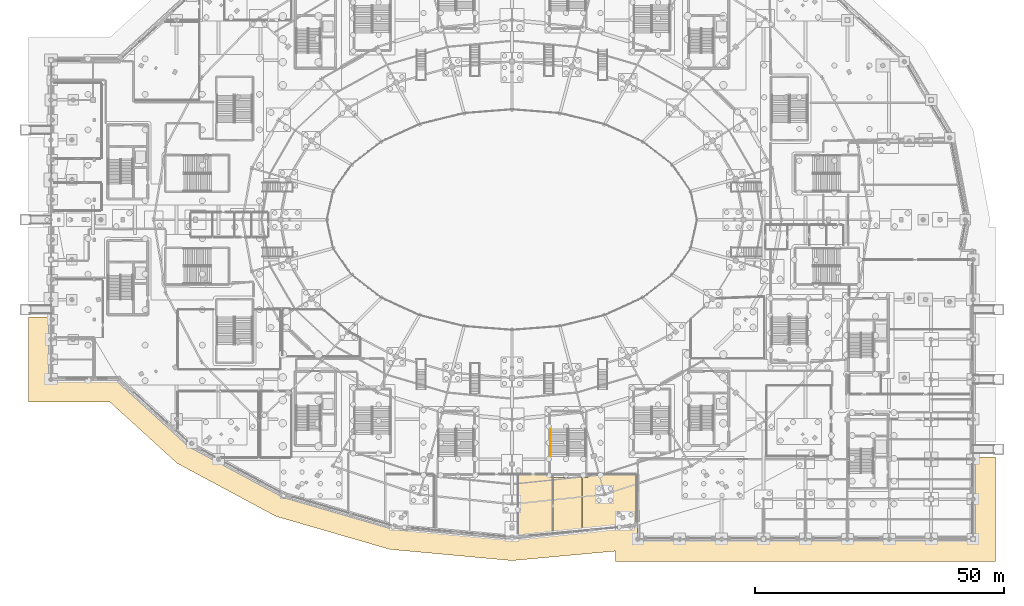
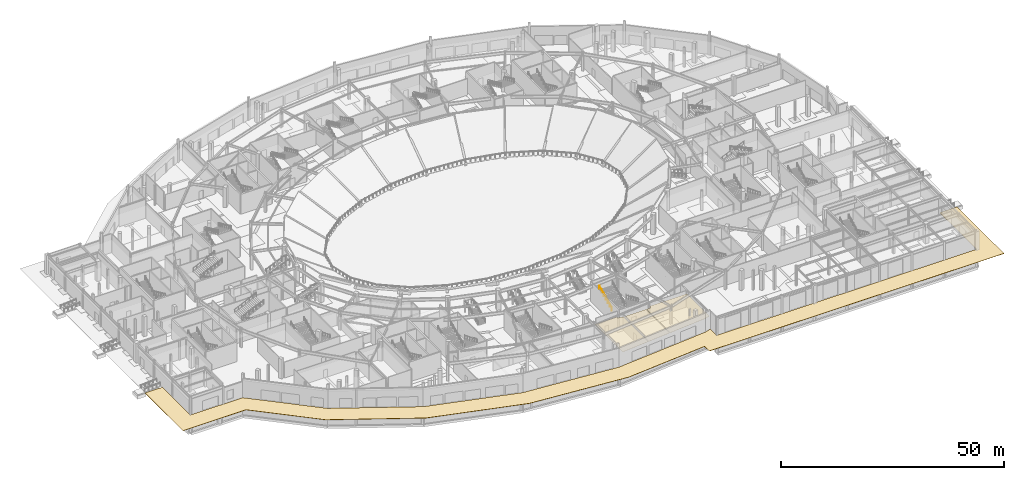
# One storey, part 73 of 93: 4 coverings, 1 railing.
"""IFC4 building model written with IfcOpenShell, lengths in metres."""

import ifcopenshell
import ifcopenshell.guid

model = None  # the IFC model being written
_history = None  # IfcOwnerHistory: only IFC2X3 demands one
_inside = {}  # id of a spatial element -> (the spatial element, [elements in it])
_under = {}  # id of a project, library or spatial element -> (it, [spatial elements below it])
_declared = {}  # id of a project -> (the project, [libraries it declares])
_typed = {}  # id of a type object -> (the type object, [elements of that type])
_made_of = {}  # id of a material, layer set ... -> (it, [elements and type objects made of it])


def new_model(schema):
    """Start an empty IFC model of exactly this schema.

    Asked for "IFC4X3", IfcOpenShell would pick the latest addendum, in which some entities
    have other attributes; the version numbers below select the first issue.
    IFC2X3 requires an IfcOwnerHistory on every rooted entity: one is made here for all.
    """
    global model, _history
    if schema == "IFC4X3":
        model = ifcopenshell.file(schema_version=(4, 3, 0, 0))
    else:
        model = ifcopenshell.file(schema=schema)
    _inside.clear()
    _under.clear()
    _declared.clear()
    _typed.clear()
    _made_of.clear()
    _history = None
    if model.schema == "IFC2X3":
        org = make("IfcOrganization", Name="unknown")
        user = make(
            "IfcPersonAndOrganization",
            ThePerson=make("IfcPerson", FamilyName="unknown"),
            TheOrganization=org,
        )
        app = make(
            "IfcApplication",
            ApplicationDeveloper=org,
            Version="unknown",
            ApplicationFullName="unknown",
            ApplicationIdentifier="unknown",
        )
        _history = make(
            "IfcOwnerHistory",
            OwningUser=user,
            OwningApplication=app,
            ChangeAction="ADDED",
            CreationDate=0,
        )
    return model


def make(cls, **values):
    """One entity of the class cls with the attributes given. An attribute that is None is left unset."""
    return model.create_entity(
        cls, **{name: value for name, value in values.items() if value is not None}
    )


def rooted(cls, **values):
    """An entity with a GlobalId (a new one), such as an element, a storey or a relation."""
    return make(cls, GlobalId=ifcopenshell.guid.new(), OwnerHistory=_history, **values)


def si_unit(unit_type, name, prefix=None):
    """IfcSIUnit, for example si_unit("LENGTHUNIT", "METRE", prefix="MILLI")."""
    return make("IfcSIUnit", UnitType=unit_type, Prefix=prefix, Name=name)


def assignment(units):
    """IfcUnitAssignment: the units of a project."""
    return None if units is None else make("IfcUnitAssignment", Units=units)


def point(xyz):
    """IfcCartesianPoint."""
    return None if xyz is None else make("IfcCartesianPoint", Coordinates=xyz)


def direction(xyz):
    """IfcDirection."""
    return None if xyz is None else make("IfcDirection", DirectionRatios=xyz)


def frame(location, z_axis=None, x_axis=None):
    """IfcAxis2Placement3D, a coordinate frame: its origin and axes. An axis left out is left unset."""
    return make(
        "IfcAxis2Placement3D",
        Location=point(location),
        Axis=direction(z_axis),
        RefDirection=direction(x_axis),
    )


def frame_2d(location, x_axis=None):
    """IfcAxis2Placement2D, a coordinate frame in the plane: its origin and x axis."""
    return make(
        "IfcAxis2Placement2D", Location=point(location), RefDirection=direction(x_axis)
    )


def origin():
    """The frame at (0, 0, 0) with its axes left unset."""
    return frame((0.0, 0.0, 0.0))


def origin_2d():
    """The frame at (0, 0) in the plane with its x axis left unset."""
    return frame_2d((0.0, 0.0))


def place(relative_to, where):
    """IfcLocalPlacement: puts the frame where relative to a parent placement (None: the world)."""
    return make(
        "IfcLocalPlacement", PlacementRelTo=relative_to, RelativePlacement=where
    )


def context(
    kind, dimensions, precision=None, world=None, true_north=None, identifier=None
):
    """IfcGeometricRepresentationContext, for example the 3D "Model" context."""
    return make(
        "IfcGeometricRepresentationContext",
        ContextIdentifier=identifier,
        ContextType=kind,
        CoordinateSpaceDimension=dimensions,
        Precision=precision,
        WorldCoordinateSystem=world,
        TrueNorth=true_north,
    )


def subcontext(parent, identifier, kind, view, scale=None):
    """IfcGeometricRepresentationSubContext, for example "Body" below "Model"."""
    return make(
        "IfcGeometricRepresentationSubContext",
        ContextIdentifier=identifier,
        ContextType=kind,
        ParentContext=parent,
        TargetScale=scale,
        TargetView=view,
    )


def project(units=None, contexts=None):
    """IfcProject with its units and contexts."""
    return rooted(
        "IfcProject",
        Name="project",
        RepresentationContexts=contexts,
        UnitsInContext=assignment(units),
    )


def spatial(cls, under=None, at=None, **own):
    """A site, building, storey or space (cls), placed at a placement, below another one or the project."""
    s = rooted(cls, ObjectPlacement=at, **own)
    if under is not None:
        _under.setdefault(under.id(), (under, []))[1].append(s)
    return s


def polyline(points):
    """IfcPolyline through the points."""
    return make("IfcPolyline", Points=[point(p) for p in points])


def profile(cls, at=None, kind="AREA", **sizes):
    """A parametric profile (cls). Its sizes go by their IFC names, for example OverallWidth=200.0."""
    return make(cls, ProfileType=kind, Position=at, **sizes)


def circle(**sizes):
    """IfcCircleProfileDef."""
    return profile("IfcCircleProfileDef", **sizes)


def outline(outer, holes=None, kind="AREA"):
    """IfcArbitraryClosedProfileDef: a profile drawn as a closed curve; with holes, ...WithVoids."""
    if holes is None:
        return make("IfcArbitraryClosedProfileDef", ProfileType=kind, OuterCurve=outer)
    return make(
        "IfcArbitraryProfileDefWithVoids",
        ProfileType=kind,
        OuterCurve=outer,
        InnerCurves=holes,
    )


def extrude(swept, where, along, depth):
    """IfcExtrudedAreaSolid: the profile swept, set in the frame where, extruded along a direction by depth."""
    return make(
        "IfcExtrudedAreaSolid",
        SweptArea=swept,
        Position=where,
        ExtrudedDirection=direction(along),
        Depth=depth,
    )


def shape(context_of_items, identifier, shape_type, items):
    """IfcShapeRepresentation: the items that make up one representation, for example the "Body"."""
    return make(
        "IfcShapeRepresentation",
        ContextOfItems=context_of_items,
        RepresentationIdentifier=identifier,
        RepresentationType=shape_type,
        Items=items,
    )


def material(Name=None, Category=None):
    """IfcMaterial."""
    return make("IfcMaterial", Name=Name, Category=Category)


def layer(
    of_material, thickness, ventilated=None, Name=None, Category=None, Priority=None
):
    """IfcMaterialLayer: one layer of a wall or slab, of a material (None: an air gap)."""
    return make(
        "IfcMaterialLayer",
        Material=of_material,
        LayerThickness=thickness,
        IsVentilated=ventilated,
        Name=Name,
        Category=Category,
        Priority=Priority,
    )


def layer_set(layers, Name=None):
    """IfcMaterialLayerSet."""
    return make("IfcMaterialLayerSet", MaterialLayers=layers, LayerSetName=Name)


def made_of(thing, what):
    """Note that an element or type object is made of a material, layer set ...; save() writes the relation."""
    if what is not None:
        _made_of.setdefault(what.id(), (what, []))[1].append(thing)
    return thing


def type_object(cls, material=None, **own):
    """A type object (cls), such as IfcWallType, which elements share."""
    return made_of(rooted(cls, **own), material)


def element(
    cls,
    number,
    at=None,
    inside=None,
    cuts=None,
    type_object=None,
    material=None,
    context=None,
    identifier="Body",
    shape_type=None,
    held_by="IfcProductDefinitionShape",
    body=None,
    shapes=None,
    **own,
):
    """One element of the class cls, such as IfcWall. Its Tag is "e" and its number.

    at: its placement. inside: the storey or other place that contains it. cuts: it is an
    opening in that element (IfcRelVoidsElement). A single representation is given by context,
    identifier, shape_type and body (its items); several are given by shapes. held_by: the class
    of the entity that holds the representations. save() writes the other relations.
    """
    e = rooted(cls, Tag="e%d" % number, ObjectPlacement=at, **own)
    if body is not None:
        shapes = [shape(context, identifier, shape_type, body)]
    if shapes is not None:
        e.Representation = make(held_by, Representations=shapes)
    if inside is not None:
        _inside.setdefault(inside.id(), (inside, []))[1].append(e)
    if cuts is not None:
        rooted(
            "IfcRelVoidsElement", RelatingBuildingElement=cuts, RelatedOpeningElement=e
        )
    if type_object is not None:
        _typed.setdefault(type_object.id(), (type_object, []))[1].append(e)
    return made_of(e, material)


def aggregate(whole, parts):
    """IfcRelAggregates: a whole, such as a stair, and the parts it consists of."""
    return rooted("IfcRelAggregates", RelatingObject=whole, RelatedObjects=parts)


def save(model, path):
    """Write the relations noted so far, then the file.

    IfcRelAggregates (storeys below a building ...), IfcRelContainedInSpatialStructure (elements
    in a storey), IfcRelDefinesByType, IfcRelAssociatesMaterial and IfcRelDeclares: one each for
    every whole, place, type object, material and project.
    """
    for whole, parts in _under.values():
        aggregate(whole, parts)
    for where, things in _inside.values():
        rooted(
            "IfcRelContainedInSpatialStructure",
            RelatedElements=things,
            RelatingStructure=where,
        )
    for kind, things in _typed.values():
        rooted("IfcRelDefinesByType", RelatedObjects=things, RelatingType=kind)
    for what, things in _made_of.values():
        rooted("IfcRelAssociatesMaterial", RelatedObjects=things, RelatingMaterial=what)
    for by, libraries in _declared.values():
        rooted("IfcRelDeclares", RelatingContext=by, RelatedDefinitions=libraries)
    model.write(path)


model = new_model("IFC4")

# Units and contexts
model_context = context("Model", 3, precision=1e-05, world=origin(), true_north=direction((0.0, 1.0)))
body_context = subcontext(model_context, "Body", "Model", "MODEL_VIEW")
ifc_project = project(units=[si_unit("LENGTHUNIT", "METRE"), si_unit("AREAUNIT", "SQUARE_METRE"), si_unit("VOLUMEUNIT", "CUBIC_METRE"), si_unit("PLANEANGLEUNIT", "RADIAN"), si_unit("MASSUNIT", "GRAM", prefix="KILO")], contexts=[model_context])

# Site, building, storey
site_placement = place(None, origin())
site = spatial("IfcSite", under=ifc_project, at=site_placement, CompositionType="ELEMENT")
building_placement = place(site_placement, origin())
building = spatial("IfcBuilding", under=site, at=building_placement, Name="Kalgoora Escarpment Arena", CompositionType="ELEMENT")
storey_placement = place(building_placement, origin())
storey = spatial("IfcBuildingStorey", under=building, at=storey_placement, Name="L00", CompositionType="ELEMENT", Elevation=0.0)

# Coverings
ifc_material_1 = material(Name="Perforated acoustic mineral-fibre ceiling tile")
ifc_layer_1 = layer(ifc_material_1, 0.02490234375)
ifc_layer_set_1 = layer_set([ifc_layer_1], Name="COV-CEIL-ACOUSTIC")
covering_type_1 = type_object("IfcCoveringType", Name="COV-CEIL-ACOUSTIC", PredefinedType="CEILING", material=ifc_layer_set_1)
covering_1_placement = place(storey_placement, frame((0.0, 0.0, 3.47998046875)))
element("IfcCovering", 1, at=covering_1_placement, inside=storey, type_object=covering_type_1, Name="L00 Doping Control Waiting acoustic suspended ceiling", PredefinedType="CEILING", context=body_context, shape_type="SweptSolid", body=[
    extrude(outline(polyline([(93.640869140625, 13.0078125), (99.300048828125, 13.015625), (99.338134765625, 12.608642578125), (100.639892578125, 12.300048828125), (100.63623046875, 1.159423828125), (93.644775390625, 0.52001953125), (93.640869140625, 13.0078125)])), origin(), (0.0, 0.0, 1.0), 0.02490234375),
])
covering_2_placement = place(storey_placement, frame((0.0, 0.0, 3.47998046875)))
element("IfcCovering", 2, at=covering_2_placement, inside=storey, type_object=covering_type_1, Name="L00 Doping Control Testing Suite acoustic suspended ceiling", PredefinedType="CEILING", context=body_context, shape_type="SweptSolid", body=[
    extrude(outline(polyline([(117.40771484375, 13.039306640625), (117.438720703125, 2.997802734375), (115.967041015625, 2.5712890625), (106.5673828125, 1.70556640625), (106.56005859375, 12.300048828125), (107.6357421875, 12.35888671875), (107.89990234375, 13.013671875), (117.40771484375, 13.039306640625)])), origin(), (0.0, 0.0, 1.0), 0.02490234375),
])
covering_3_placement = place(storey_placement, frame((0.0, 0.0, 3.47998046875)))
element("IfcCovering", 3, at=covering_3_placement, inside=storey, type_object=covering_type_1, Name="L00 South Protected Exit Passageway acoustic suspended ceiling", PredefinedType="CEILING", context=body_context, shape_type="SweptSolid", body=[
    extrude(outline(polyline([(106.439697265625, 1.706298828125), (100.7646484375, 1.17578125), (100.760009765625, 12.300048828125), (106.43994140625, 12.300048828125), (106.439697265625, 1.706298828125)])), origin(), (0.0, 0.0, 1.0), 0.02490234375),
])
ifc_material_2 = material(Name="Honed Kimberley sandstone paving", Category="masonry")
ifc_layer_2 = layer(ifc_material_2, 0.06494140625)
ifc_layer_set_2 = layer_set([ifc_layer_2], Name="COV-PAVING-FORECOURT")
covering_type_2 = type_object("IfcCoveringType", Name="COV-PAVING-FORECOURT", PredefinedType="USERDEFINED", material=ifc_layer_set_2)
covering_4_placement = place(storey_placement, frame((0.0, 0.0, -0.06494140625)))
element("IfcCovering", 4, at=covering_4_placement, inside=storey, type_object=covering_type_2, Name="Perimeter pedestrian egress apron paving 01", ObjectType="PAVING", PredefinedType="USERDEFINED", context=body_context, shape_type="SweptSolid", body=[
    extrude(outline(polyline([(45.0908203125, 4.557861328125), (25.292236328125, 15.185546875), (11.784912109375, 27.5), (-4.5, 27.5), (-4.5, 44.5), (-0.02001953125, 44.5), (-0.02001953125, 32.0), (-0.02001953125, 31.998046875), (-0.01953125, 31.99609375), (-0.01904296875, 31.994140625), (-0.0185546875, 31.9921875), (-0.017578125, 31.990478515625), (-0.0166015625, 31.989013671875), (-0.015380859375, 31.9873046875), (-0.01416015625, 31.98583984375), (-0.0126953125, 31.984619140625), (-0.010986328125, 31.9833984375), (-0.009521484375, 31.982421875), (-0.0078125, 31.9814453125), (-0.005859375, 31.98095703125), (-0.00390625, 31.98046875), (-0.001953125, 31.97998046875), (0.0, 31.97998046875), (13.5205078125, 31.97998046875), (27.8984375, 18.871826171875), (27.899658203125, 18.870849609375), (27.90087890625, 18.869873046875), (27.90234375, 18.868896484375), (46.79052734375, 8.72998046875), (46.79248046875, 8.72900390625), (46.79443359375, 8.728515625), (68.7900390625, 2.354736328125), (68.7919921875, 2.354248046875), (68.7939453125, 2.35400390625), (92.398193359375, 0.18017578125), (92.39990234375, 0.179931640625), (92.40185546875, 0.18017578125), (116.006103515625, 2.35400390625), (116.008056640625, 2.354248046875), (116.010009765625, 2.354736328125), (117.580078125, 2.809814453125), (117.580078125, 0.0), (117.580078125, -0.001953125), (117.580322265625, -0.00390625), (117.580810546875, -0.005859375), (117.58154296875, -0.0078125), (117.58251953125, -0.009521484375), (117.58349609375, -0.010986328125), (117.58447265625, -0.0126953125), (117.5859375, -0.01416015625), (117.58740234375, -0.015380859375), (117.5888671875, -0.0166015625), (117.590576171875, -0.017578125), (117.59228515625, -0.0185546875), (117.59423828125, -0.01904296875), (117.59619140625, -0.01953125), (117.597900390625, -0.02001953125), (117.60009765625, -0.02001953125), (184.800048828125, -0.02001953125), (184.802001953125, -0.02001953125), (184.803955078125, -0.01953125), (184.805908203125, -0.01904296875), (184.8076171875, -0.0185546875), (184.809326171875, -0.017578125), (184.81103515625, -0.0166015625), (184.812744140625, -0.015380859375), (184.814208984375, -0.01416015625), (184.8154296875, -0.0126953125), (184.816650390625, -0.010986328125), (184.817626953125, -0.009521484375), (184.818603515625, -0.0078125), (184.819091796875, -0.005859375), (184.819580078125, -0.00390625), (184.81982421875, -0.001953125), (184.820068359375, 0.0), (184.820068359375, 16.5), (189.300048828125, 16.5), (189.300048828125, -4.5), (113.10009765625, -4.5), (113.10009765625, -2.41259765625), (92.39990234375, -4.319091796875), (67.95556640625, -2.06787109375), (45.0908203125, 4.557861328125)])), origin(), (0.0, 0.0, 1.0), 0.06494140625),
])

# Railing
ifc_material_3 = material(Name="Brushed stainless steel 316 handrail", Category="steel")
railing_type = type_object("IfcRailingType", Name="RAL-HAND-920", PredefinedType="HANDRAIL", material=ifc_material_3)
railing_placement = place(storey_placement, frame((100.10009765625, 16.60498046875, 2.828857421875)))
element("IfcRailing", 5, at=railing_placement, inside=storey, type_object=railing_type, Name="ST15 L00 pitched stair handrail F2R", PredefinedType="HANDRAIL", context=body_context, shape_type="SweptSolid", body=[
    extrude(circle(Radius=0.02392578125, at=origin_2d()), frame((0.0, 0.0, 0.89599609375), z_axis=(0.0, 0.908559891483, 0.417754621265), x_axis=(-1.0, 0.0, 0.0)), (0.0, 0.0, 1.0), 6.05908203125),
    extrude(circle(Radius=0.02099609375, at=origin_2d()), origin(), (0.0, 0.0, 1.0), 0.871826171875),
    extrude(circle(Radius=0.02099609375, at=origin_2d()), frame((0.0, 0.91748046875, 0.421875)), (0.0, 0.0, 1.0), 0.871826171875),
    extrude(circle(Radius=0.02099609375, at=origin_2d()), frame((0.0, 1.8349609375, 0.84375)), (0.0, 0.0, 1.0), 0.871826171875),
    extrude(circle(Radius=0.02099609375, at=origin_2d()), frame((0.0, 2.75244140625, 1.265625)), (0.0, 0.0, 1.0), 0.871826171875),
    extrude(circle(Radius=0.02099609375, at=origin_2d()), frame((0.0, 3.670166015625, 1.6875)), (0.0, 0.0, 1.0), 0.871826171875),
    extrude(circle(Radius=0.02099609375, at=origin_2d()), frame((0.0, 4.587646484375, 2.109375)), (0.0, 0.0, 1.0), 0.871826171875),
    extrude(circle(Radius=0.02099609375, at=origin_2d()), frame((0.0, 5.505126953125, 2.53125)), (0.0, 0.0, 1.0), 0.871826171875),
])

save(model, "model.ifc")
